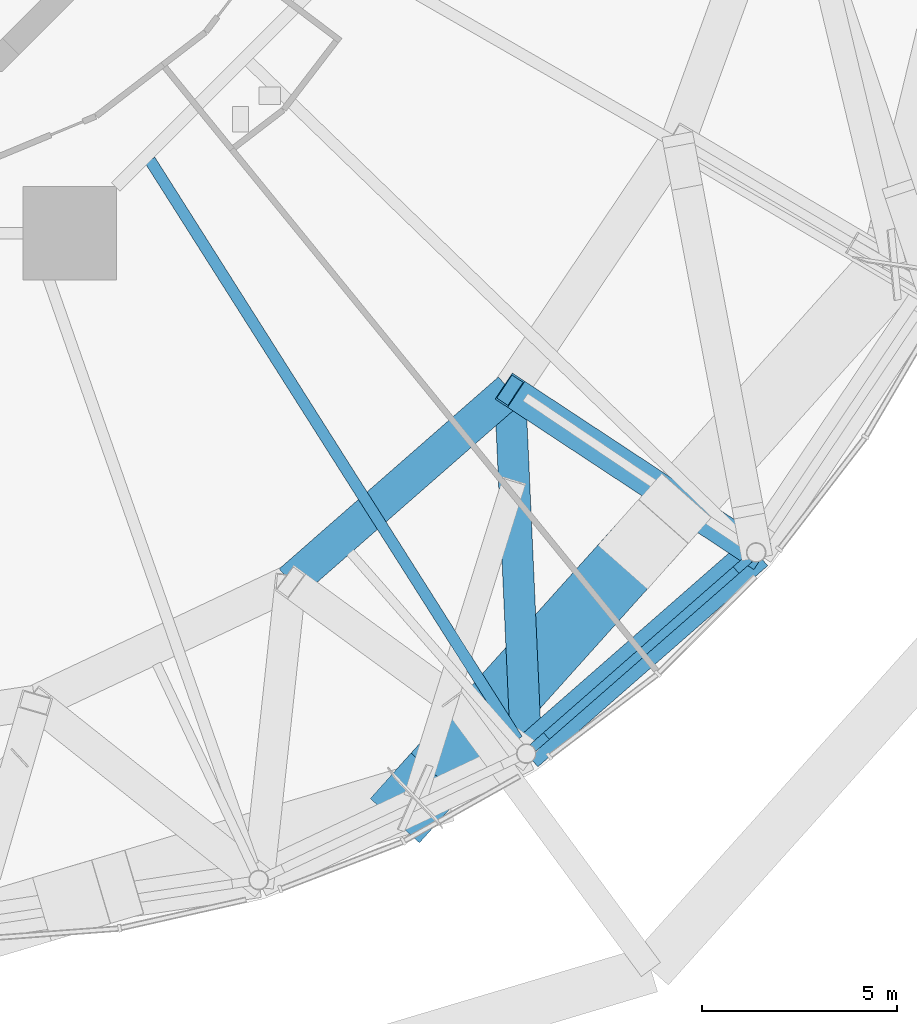
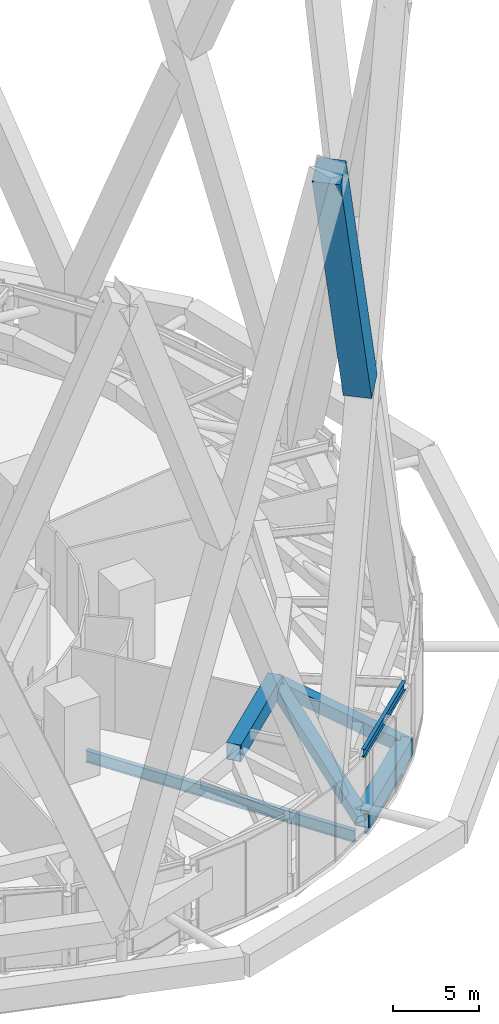
# One storey, part 12 of 51: 7 beams, 1 member.
"""IFC4 building model written with IfcOpenShell, lengths in metres."""

from ifc_helpers import new_model, si_unit, direction, frame, origin, origin_2d, place, context, subcontext, project, spatial, rectangle, hollow_rectangle, i_section, extrude, material, material_profile, profile_set, type_object, element, save


model = new_model("IFC4")

# Units and contexts
model_context = context("Model", 3, precision=1e-05, world=origin(), true_north=direction((0.0, 1.0)))
body_context = subcontext(model_context, "Body", "Model", "MODEL_VIEW")
ifc_project = project(units=[si_unit("LENGTHUNIT", "METRE"), si_unit("AREAUNIT", "SQUARE_METRE"), si_unit("VOLUMEUNIT", "CUBIC_METRE"), si_unit("PLANEANGLEUNIT", "RADIAN"), si_unit("MASSUNIT", "GRAM", prefix="KILO")], contexts=[model_context])

# Site, building, storey
site_placement = place(None, origin())
site = spatial("IfcSite", under=ifc_project, at=site_placement, CompositionType="ELEMENT")
building_placement = place(site_placement, origin())
building = spatial("IfcBuilding", under=site, at=building_placement, Name="Nagisa Residences", CompositionType="ELEMENT")
storey_placement = place(building_placement, frame((0.0, 0.0, 67.699951171875)))
storey = spatial("IfcBuildingStorey", under=building, at=storey_placement, Name="L16", CompositionType="ELEMENT", Elevation=67.699951171875)

# Beams
ifc_material_1 = material(Name="Steel ASTM A572 Gr 50", Category="steel")
ifc_material_profile_1 = material_profile(ifc_material_1, hollow_rectangle(XDim=0.89990234375, YDim=1.199951171875, WallThickness=0.050048828125, at=origin_2d()), Name="BX 900x1200x50")
ifc_profile_set_1 = profile_set([ifc_material_profile_1], Name="Steel ASTM A572 Gr 50")
beam_type_1 = type_object("IfcBeamType", Name="Belt chord 1 BX 900x1200x50", PredefinedType="BEAM", material=ifc_profile_set_1)
beam_1_placement = place(storey_placement, frame((17.85009765625, -28.145751953125, 0.60009765625), z_axis=(0.752561268015, 0.658522237957, 0.0), x_axis=(-0.658522237957, 0.752561268015, 0.0)))
element("IfcBeam", 1, at=beam_1_placement, inside=storey, type_object=beam_type_1, Name="beam:L16:bt1b21", PredefinedType="BEAM", context=body_context, shape_type="SweptSolid", body=[
    extrude(hollow_rectangle(XDim=0.89990234375, YDim=1.199951171875, WallThickness=0.050048828125, at=origin_2d()), origin(), (0.0, 0.0, 1.0), 7.843017578125),
])
beam_2_placement = place(storey_placement, frame((11.797607421875, -23.7421875, 4.739990234375), z_axis=(0.752518090627, 0.658571577947, 0.0), x_axis=(-0.658571577947, 0.752518090627, 0.0)))
element("IfcBeam", 2, at=beam_2_placement, inside=storey, type_object=beam_type_1, Name="beam:L16:bt1t21", PredefinedType="BEAM", context=body_context, shape_type="SweptSolid", body=[
    extrude(hollow_rectangle(XDim=0.89990234375, YDim=1.199951171875, WallThickness=0.050048828125, at=origin_2d()), origin(), (0.0, 0.0, 1.0), 7.484375),
])
ifc_material_2 = material(Name="Steel ASTM A572 Gr 50", Category="steel")
ifc_material_profile_2 = material_profile(ifc_material_2, hollow_rectangle(XDim=0.800048828125, YDim=0.800048828125, WallThickness=0.044921875, at=origin_2d()), Name="BX 800x800x45")
ifc_profile_set_2 = profile_set([ifc_material_profile_2], Name="Steel ASTM A572 Gr 50")
beam_type_2 = type_object("IfcBeamType", Name="Belt diagonal 1 BX 800x800x45", PredefinedType="BEAM", material=ifc_profile_set_2)
beam_3_placement = place(storey_placement, frame((17.85009765625, -28.145751953125, 0.60009765625), z_axis=(-0.041143315821, 0.913324268632, 0.405149364914), x_axis=(-0.998986886243, -0.045002234555, 0.0)))
element("IfcBeam", 3, at=beam_3_placement, inside=storey, type_object=beam_type_2, Name="beam:L16:bt1db21", PredefinedType="BEAM", context=body_context, shape_type="SweptSolid", body=[
    extrude(hollow_rectangle(XDim=0.800048828125, YDim=0.800048828125, WallThickness=0.044921875, at=origin_2d()), origin(), (0.0, 0.0, 1.0), 10.21826171875),
])
beam_4_placement = place(storey_placement, frame((23.75244140625, -22.98095703125, 0.60009765625), z_axis=(-0.732604146135, 0.482905451335, 0.479680612634), x_axis=(-0.550355248011, -0.834930596509, 0.0)))
element("IfcBeam", 4, at=beam_4_placement, inside=storey, type_object=beam_type_2, Name="beam:L16:bt1da22", PredefinedType="BEAM", context=body_context, shape_type="SweptSolid", body=[
    extrude(hollow_rectangle(XDim=0.800048828125, YDim=0.800048828125, WallThickness=0.044921875, at=origin_2d()), origin(), (0.0, 0.0, 1.0), 8.630615234375),
])

# Member
ifc_material_3 = material(Name="Concrete C80", Category="concrete")
ifc_material_profile_3 = material_profile(ifc_material_3, rectangle(XDim=1.699951171875, YDim=1.699951171875, at=origin_2d()), Name="C80 1700x1700")
ifc_profile_set_3 = profile_set([ifc_material_profile_3], Name="Concrete C80")
member_type = type_object("IfcMemberType", Name="Cage diagonal 2 C80 1700x1700", PredefinedType="BRACE", material=ifc_profile_set_3)
member_placement = place(storey_placement, frame((20.84375, -22.773681640625, 27.04345703125), z_axis=(-0.255351092109, -0.284388134781, 0.924077490557), x_axis=(0.744071921623, -0.668099525111, 0.0)))
element("IfcMember", 5, at=member_placement, inside=storey, type_object=member_type, Name="mem:L16:cg2d022b", PredefinedType="BRACE", context=body_context, shape_type="SweptSolid", body=[
    extrude(rectangle(XDim=1.699951171875, YDim=1.699951171875, at=origin_2d()), origin(), (0.0, 0.0, 1.0), 22.894775390625),
])

# Beams
ifc_material_4 = material(Name="Steel ASTM A572 Gr 50", Category="steel")
ifc_material_profile_4 = material_profile(ifc_material_4, i_section(OverallWidth=0.22802734375, OverallDepth=0.60302734375, WebThickness=0.010498046875, FlangeThickness=0.014892578125, at=origin_2d()), Name="W610x101")
ifc_profile_set_4 = profile_set([ifc_material_profile_4], Name="Steel ASTM A572 Gr 50")
beam_type_3 = type_object("IfcBeamType", Name="Garden edge beam W610x101", PredefinedType="BEAM", material=ifc_profile_set_4)
beam_5_placement = place(storey_placement, frame((18.026123046875, -27.99169921875, 5.03857421875), z_axis=(0.752564390793, 0.65851866922, 0.0), x_axis=(-0.65851866922, 0.752564390793, 0.0)))
element("IfcBeam", 6, at=beam_5_placement, inside=storey, type_object=beam_type_3, Name="beam:L16:bt1ge21", PredefinedType="BEAM", context=body_context, shape_type="SweptSolid", body=[
    extrude(i_section(OverallWidth=0.22802734375, OverallDepth=0.60302734375, WebThickness=0.010498046875, FlangeThickness=0.014892578125, at=origin_2d()), origin(), (0.0, 0.0, 1.0), 7.375244140625),
])
ifc_material_5 = material(Name="Steel ASTM A572 Gr 50", Category="steel")
ifc_material_profile_5 = material_profile(ifc_material_5, i_section(OverallWidth=0.22900390625, OverallDepth=0.612060546875, WebThickness=0.011962890625, FlangeThickness=0.01953125, at=origin_2d()), Name="W610x125")
ifc_profile_set_5 = profile_set([ifc_material_profile_5], Name="Steel ASTM A572 Gr 50")
beam_type_4 = type_object("IfcBeamType", Name="Perimeter ring beam W610x125", PredefinedType="BEAM", material=ifc_profile_set_5)
beam_6_placement = place(storey_placement, frame((18.36669921875, -27.693603515625, -0.656005859375), z_axis=(0.7525907186, 0.658488580217, 0.0), x_axis=(-0.658488580217, 0.7525907186, 0.0)))
element("IfcBeam", 7, at=beam_6_placement, inside=storey, type_object=beam_type_4, Name="beam:L16:pb21", PredefinedType="BEAM", context=body_context, shape_type="SweptSolid", body=[
    extrude(i_section(OverallWidth=0.22900390625, OverallDepth=0.612060546875, WebThickness=0.011962890625, FlangeThickness=0.01953125, at=origin_2d()), origin(), (0.0, 0.0, 1.0), 6.470458984375),
])
ifc_material_6 = material(Name="Steel ASTM A572 Gr 50", Category="steel")
ifc_material_profile_6 = material_profile(ifc_material_6, i_section(OverallWidth=0.2919921875, OverallDepth=0.8349609375, WebThickness=0.013916015625, FlangeThickness=0.018798828125, at=origin_2d()), Name="W840x176")
ifc_profile_set_6 = profile_set([ifc_material_profile_6], Name="Steel ASTM A572 Gr 50")
beam_type_5 = type_object("IfcBeamType", Name="Radial beam W840x176", PredefinedType="BEAM", material=ifc_profile_set_6)
beam_7_placement = place(storey_placement, frame((17.61962890625, -27.78271484375, -0.767333984375), z_axis=(-0.535569991615, 0.844490843101, 0.0), x_axis=(-0.844490843101, -0.535569991615, 0.0)))
element("IfcBeam", 8, at=beam_7_placement, inside=storey, type_object=beam_type_5, Name="beam:L16:rb21", PredefinedType="BEAM", context=body_context, shape_type="SweptSolid", body=[
    extrude(i_section(OverallWidth=0.2919921875, OverallDepth=0.8349609375, WebThickness=0.013916015625, FlangeThickness=0.018798828125, at=origin_2d()), origin(), (0.0, 0.0, 1.0), 17.614990234375),
])

save(model, "model.ifc")
